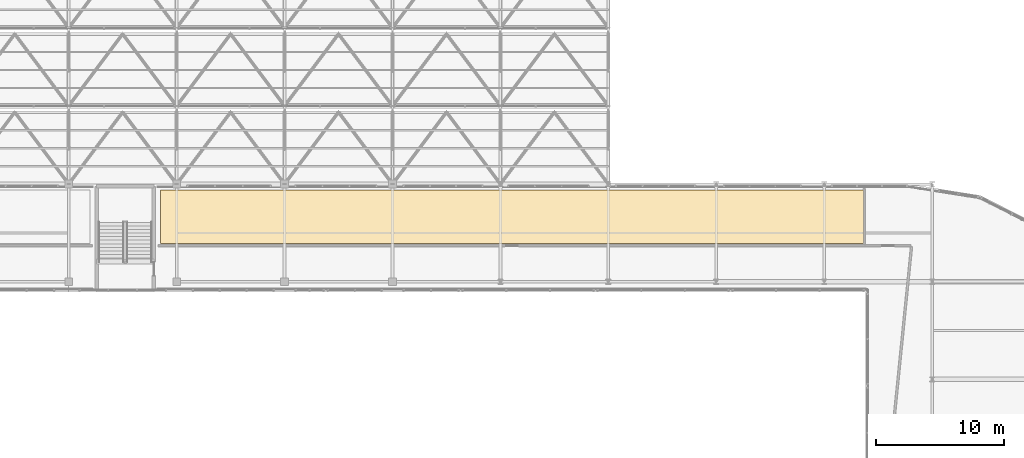
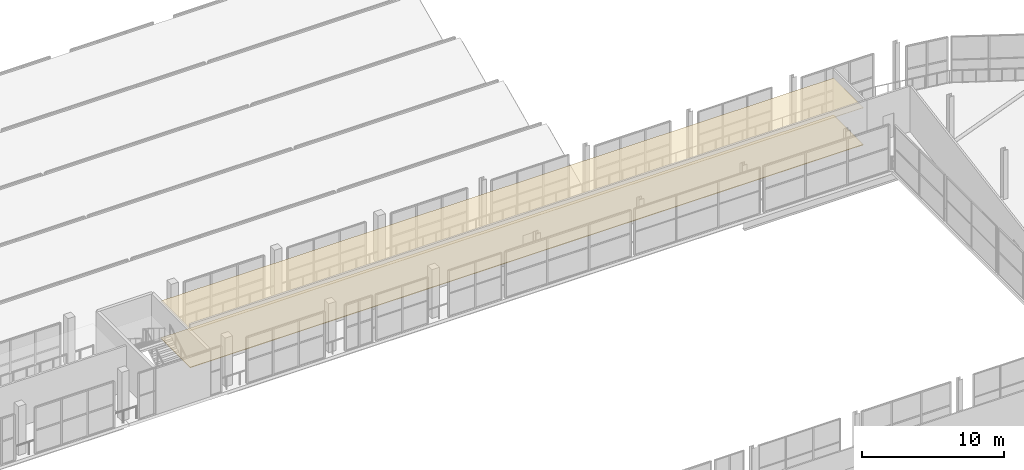
# One storey, part 215 of 217: 2 coverings.
"""IFC4 building model written with IfcOpenShell, lengths in metres."""

from ifc_helpers import new_model, si_unit, direction, frame, origin, place, context, subcontext, project, spatial, polyline, outline, extrude, material, layer, layer_set, type_object, element, save


model = new_model("IFC4")

# Units and contexts
model_context = context("Model", 3, precision=1e-05, world=origin(), true_north=direction((0.0, 1.0)))
body_context = subcontext(model_context, "Body", "Model", "MODEL_VIEW")
ifc_project = project(units=[si_unit("LENGTHUNIT", "METRE"), si_unit("AREAUNIT", "SQUARE_METRE"), si_unit("VOLUMEUNIT", "CUBIC_METRE"), si_unit("PLANEANGLEUNIT", "RADIAN"), si_unit("MASSUNIT", "GRAM", prefix="KILO")], contexts=[model_context])

# Site, building, storey
site_placement = place(None, origin())
site = spatial("IfcSite", under=ifc_project, at=site_placement, CompositionType="ELEMENT")
building_placement = place(site_placement, origin())
building = spatial("IfcBuilding", under=site, at=building_placement, Name="Zuvorla Pavilion Media Centre", CompositionType="ELEMENT")
storey_placement = place(building_placement, frame((0.0, 0.0, 9.60009765625)))
storey = spatial("IfcBuildingStorey", under=building, at=storey_placement, Name="L02", CompositionType="ELEMENT", Elevation=9.60009765625)

# Coverings
ifc_material_1 = material(Name="Perforated gypsum acoustic studio ceiling")
ifc_layer_1 = layer(ifc_material_1, 0.0400390625)
ifc_layer_set_1 = layer_set([ifc_layer_1], Name="Perforated gypsum acoustic studio ceiling")
covering_type_1 = type_object("IfcCoveringType", Name="COV-CLG-ACOUST", PredefinedType="CEILING", material=ifc_layer_set_1)
covering_1_placement = place(storey_placement, frame((0.0, 0.0, 3.179931640625)))
element("IfcCovering", 1, at=covering_1_placement, inside=storey, type_object=covering_type_1, Name="L02 acoustic ceiling 5", PredefinedType="CEILING", context=body_context, shape_type="SweptSolid", body=[
    extrude(outline(polyline([(99.14990234375, 89.14990234375), (100.03662109375, 89.14990234375), (100.04638671875, 89.146484375), (100.060791015625, 89.142822265625), (100.0751953125, 89.140625), (100.090087890625, 89.139892578125), (100.7099609375, 89.139892578125), (100.724609375, 89.140625), (100.7392578125, 89.142822265625), (100.75341796875, 89.146484375), (100.763427734375, 89.14990234375), (108.4365234375, 89.14990234375), (108.446533203125, 89.146484375), (108.460693359375, 89.142822265625), (108.475341796875, 89.140625), (108.489990234375, 89.139892578125), (109.110107421875, 89.139892578125), (109.124755859375, 89.140625), (109.139404296875, 89.142822265625), (109.153564453125, 89.146484375), (109.163330078125, 89.14990234375), (116.836669921875, 89.14990234375), (116.846435546875, 89.146484375), (116.860595703125, 89.142822265625), (116.875244140625, 89.140625), (116.889892578125, 89.139892578125), (117.510009765625, 89.139892578125), (117.524658203125, 89.140625), (117.539306640625, 89.142822265625), (117.553466796875, 89.146484375), (117.5634765625, 89.14990234375), (153.85009765625, 89.14990234375), (153.85009765625, 84.9599609375), (99.14990234375, 84.9599609375), (99.14990234375, 89.14990234375)])), origin(), (0.0, 0.0, 1.0), 0.0400390625),
])
ifc_material_2 = material(Name="Floating resilient acoustic hardwood studio floor", Category="wood")
ifc_layer_2 = layer(ifc_material_2, 0.050048828125)
ifc_layer_set_2 = layer_set([ifc_layer_2], Name="Floating resilient acoustic hardwood studio floor")
covering_type_2 = type_object("IfcCoveringType", Name="COV-FLR-ACOUST", PredefinedType="FLOORING", material=ifc_layer_set_2)
covering_2_placement = place(storey_placement, origin())
element("IfcCovering", 2, at=covering_2_placement, inside=storey, type_object=covering_type_2, Name="L02 acoustic studio floor 9", PredefinedType="FLOORING", context=body_context, shape_type="SweptSolid", body=[
    extrude(outline(polyline([(99.14990234375, 89.14990234375), (100.03662109375, 89.14990234375), (100.04638671875, 89.146484375), (100.060791015625, 89.142822265625), (100.0751953125, 89.140625), (100.090087890625, 89.139892578125), (100.7099609375, 89.139892578125), (100.724609375, 89.140625), (100.7392578125, 89.142822265625), (100.75341796875, 89.146484375), (100.763427734375, 89.14990234375), (108.4365234375, 89.14990234375), (108.446533203125, 89.146484375), (108.460693359375, 89.142822265625), (108.475341796875, 89.140625), (108.489990234375, 89.139892578125), (109.110107421875, 89.139892578125), (109.124755859375, 89.140625), (109.139404296875, 89.142822265625), (109.153564453125, 89.146484375), (109.163330078125, 89.14990234375), (116.836669921875, 89.14990234375), (116.846435546875, 89.146484375), (116.860595703125, 89.142822265625), (116.875244140625, 89.140625), (116.889892578125, 89.139892578125), (117.510009765625, 89.139892578125), (117.524658203125, 89.140625), (117.539306640625, 89.142822265625), (117.553466796875, 89.146484375), (117.5634765625, 89.14990234375), (153.85009765625, 89.14990234375), (153.85009765625, 84.9599609375), (99.14990234375, 84.9599609375), (99.14990234375, 89.14990234375)])), origin(), (0.0, 0.0, 1.0), 0.0498046875),
])

save(model, "model.ifc")
